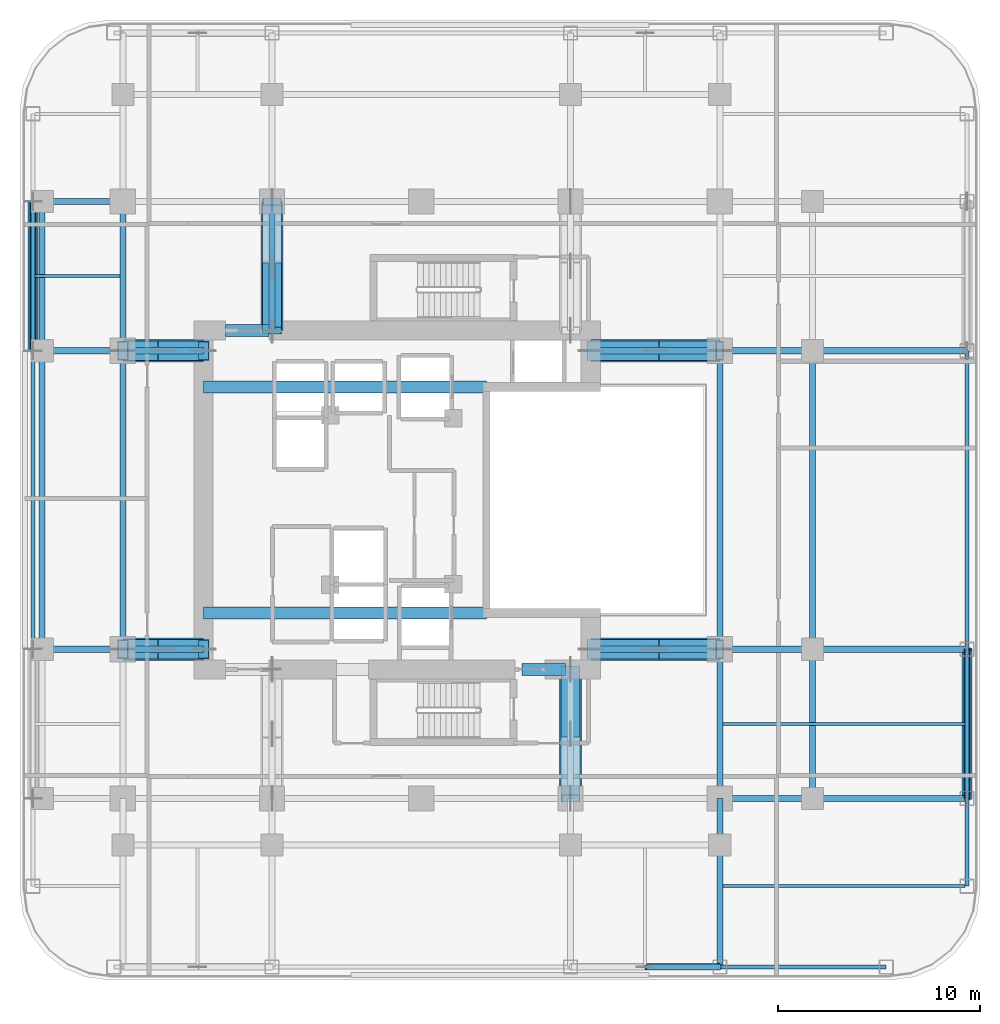
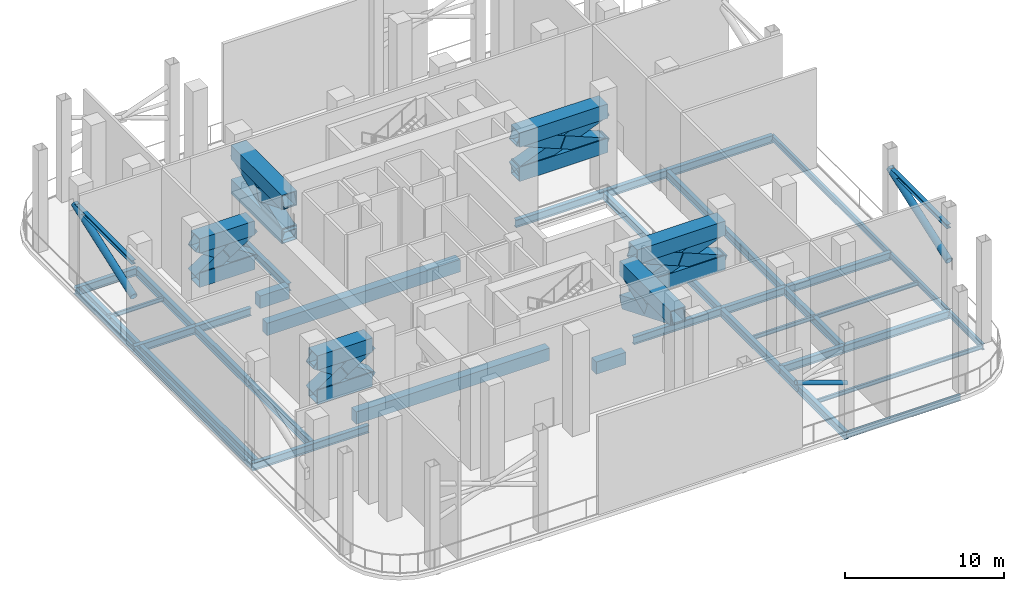
# One storey, part 2 of 10: 37 beams, 32 members.
"""IFC4 building model written with IfcOpenShell, lengths in metres."""

from ifc_helpers import new_model, si_unit, direction, frame, origin, origin_2d, place, context, subcontext, project, spatial, rectangle, hollow_rectangle, hollow_circle, i_section, extrude, material, material_profile, profile_set, type_object, element, save


model = new_model("IFC4")

# Units and contexts
model_context = context("Model", 3, precision=1e-05, world=origin(), true_north=direction((0.0, 1.0)))
body_context = subcontext(model_context, "Body", "Model", "MODEL_VIEW")
ifc_project = project(units=[si_unit("LENGTHUNIT", "METRE"), si_unit("AREAUNIT", "SQUARE_METRE"), si_unit("VOLUMEUNIT", "CUBIC_METRE"), si_unit("PLANEANGLEUNIT", "RADIAN"), si_unit("MASSUNIT", "GRAM", prefix="KILO")], contexts=[model_context])

# Site, building, storey
site_placement = place(None, origin())
site = spatial("IfcSite", under=ifc_project, at=site_placement, CompositionType="ELEMENT")
building_placement = place(site_placement, origin())
building = spatial("IfcBuilding", under=site, at=building_placement, Name="Khorvyn Point Tower", CompositionType="ELEMENT")
storey_placement = place(building_placement, frame((0.0, 0.0, 156.300048828125)))
storey = spatial("IfcBuildingStorey", under=building, at=storey_placement, Name="L39", CompositionType="ELEMENT", Elevation=156.300048828125)

# Beams
ifc_material_1 = material(Name="Concrete C50/60", Category="concrete")
ifc_material_profile_1 = material_profile(ifc_material_1, rectangle(XDim=0.60009765625, YDim=0.949951171875, at=origin_2d()))
ifc_profile_set_1 = profile_set([ifc_material_profile_1], Name="Concrete C50/60 RC600x950")
beam_type_1 = type_object("IfcBeamType", Name="Concrete C50/60 Beam RC600x950", PredefinedType="BEAM", material=ifc_profile_set_1)
for number, where, z_axis, x_axis, name in (
    (1, (-10.800048828125, -5.60009765625, -0.775146484375), (1.0, 0.0, 0.0), (0.0, 1.0, 0.0), "L39 Core Internal Tie Girder S"),
    (2, (-10.800048828125, 5.60009765625, -0.775146484375), (1.0, 0.0, 0.0), (0.0, 1.0, 0.0), "L39 Core Internal Tie Girder N"),
):
    element("IfcBeam", number, at=place(storey_placement, frame(where, z_axis=z_axis, x_axis=x_axis)), inside=storey, type_object=beam_type_1, Name=name, PredefinedType="BEAM", context=body_context, shape_type="SweptSolid", body=[
        extrude(rectangle(XDim=0.60009765625, YDim=0.949951171875, at=origin_2d()), origin(), (0.0, 0.0, 1.0), 14.02001953125),
    ])
for number, where, z_axis, x_axis, name in (
    (3, (5.0, -8.39990234375, -0.775146484375), (1.0, 0.0, 0.0), (0.0, 1.0, 0.0), "L39 Core Southeast Portal Coupling Beam"),
    (4, (-9.699951171875, 8.39990234375, -0.775146484375), (1.0, 0.0, 0.0), (0.0, 1.0, 0.0), "L39 Core Northwest Portal Coupling Beam"),
):
    element("IfcBeam", number, at=place(storey_placement, frame(where, z_axis=z_axis, x_axis=x_axis)), inside=storey, type_object=beam_type_1, Name=name, PredefinedType="BEAM", context=body_context, shape_type="SweptSolid", body=[
        extrude(rectangle(XDim=0.60009765625, YDim=0.949951171875, at=origin_2d()), origin(), (0.0, 0.0, 1.0), 2.14990234375),
    ])
ifc_material_2 = material(Name="Steel S355", Category="steel")
ifc_material_profile_2 = material_profile(ifc_material_2, i_section(OverallWidth=0.300048828125, OverallDepth=0.587890625, WebThickness=0.011962890625, FlangeThickness=0.02001953125, at=origin_2d()))
ifc_profile_set_2 = profile_set([ifc_material_profile_2], Name="Steel S355 H588x300x12x20")
beam_type_2 = type_object("IfcBeamType", Name="Steel S355 Beam H588x300x12x20", PredefinedType="BEAM", material=ifc_profile_set_2)
beam_1_placement = place(storey_placement, frame((14.800048828125, -14.800048828125, -0.593994140625), z_axis=(1.0, 0.0, 0.0), x_axis=(0.0, 1.0, 0.0)))
element("IfcBeam", 5, at=beam_1_placement, inside=storey, type_object=beam_type_2, Name="Beam", PredefinedType="BEAM", context=body_context, shape_type="SweptSolid", body=[
    extrude(i_section(OverallWidth=0.300048828125, OverallDepth=0.587890625, WebThickness=0.011962890625, FlangeThickness=0.02001953125, at=origin_2d()), origin(), (0.0, 0.0, 1.0), 4.599853515625),
])
beam_2_placement = place(storey_placement, frame((19.39990234375, -14.800048828125, -0.593994140625), z_axis=(1.0, 0.0, 0.0), x_axis=(0.0, 1.0, 0.0)))
element("IfcBeam", 6, at=beam_2_placement, inside=storey, type_object=beam_type_2, Name="Beam", PredefinedType="BEAM", context=body_context, shape_type="SweptSolid", body=[
    extrude(i_section(OverallWidth=0.300048828125, OverallDepth=0.587890625, WebThickness=0.011962890625, FlangeThickness=0.02001953125, at=origin_2d()), origin(), (0.0, 0.0, 1.0), 7.650146484375),
])
for number, where, z_axis, x_axis, name in (
    (7, (-19.25, 14.800048828125, -0.593994140625), (1.0, 0.0, 0.0), (0.0, 1.0, 0.0), "Beam"),
    (8, (-19.25, -7.39990234375, -0.593994140625), (1.0, 0.0, 0.0), (0.0, 1.0, 0.0), "Beam"),
):
    element("IfcBeam", number, at=place(storey_placement, frame(where, z_axis=z_axis, x_axis=x_axis)), inside=storey, type_object=beam_type_2, Name=name, PredefinedType="BEAM", context=body_context, shape_type="SweptSolid", body=[
        extrude(i_section(OverallWidth=0.300048828125, OverallDepth=0.587890625, WebThickness=0.011962890625, FlangeThickness=0.02001953125, at=origin_2d()), origin(), (0.0, 0.0, 1.0), 4.449951171875),
    ])
beam_3_placement = place(storey_placement, frame((-14.800048828125, -7.39990234375, -0.593994140625), z_axis=(1.0, 0.0, 0.0), x_axis=(0.0, 1.0, 0.0)))
element("IfcBeam", 9, at=beam_3_placement, inside=storey, type_object=beam_type_2, Name="Beam", PredefinedType="BEAM", context=body_context, shape_type="SweptSolid", body=[
    extrude(i_section(OverallWidth=0.300048828125, OverallDepth=0.587890625, WebThickness=0.011962890625, FlangeThickness=0.02001953125, at=origin_2d()), origin(), (0.0, 0.0, 1.0), 4.0),
])
beam_4_placement = place(storey_placement, frame((8.39990234375, -7.39990234375, -0.593994140625), z_axis=(1.0, 0.0, 0.0), x_axis=(0.0, 1.0, 0.0)))
element("IfcBeam", 10, at=beam_4_placement, inside=storey, type_object=beam_type_2, Name="Beam", PredefinedType="BEAM", context=body_context, shape_type="SweptSolid", body=[
    extrude(i_section(OverallWidth=0.300048828125, OverallDepth=0.587890625, WebThickness=0.011962890625, FlangeThickness=0.02001953125, at=origin_2d()), origin(), (0.0, 0.0, 1.0), 6.400146484375),
])
beam_5_placement = place(storey_placement, frame((14.800048828125, -7.39990234375, -0.593994140625), z_axis=(1.0, 0.0, 0.0), x_axis=(0.0, 1.0, 0.0)))
element("IfcBeam", 11, at=beam_5_placement, inside=storey, type_object=beam_type_2, Name="Beam", PredefinedType="BEAM", context=body_context, shape_type="SweptSolid", body=[
    extrude(i_section(OverallWidth=0.300048828125, OverallDepth=0.587890625, WebThickness=0.011962890625, FlangeThickness=0.02001953125, at=origin_2d()), origin(), (0.0, 0.0, 1.0), 4.599853515625),
])
beam_6_placement = place(storey_placement, frame((19.39990234375, -7.39990234375, -0.593994140625), z_axis=(1.0, 0.0, 0.0), x_axis=(0.0, 1.0, 0.0)))
element("IfcBeam", 12, at=beam_6_placement, inside=storey, type_object=beam_type_2, Name="Beam", PredefinedType="BEAM", context=body_context, shape_type="SweptSolid", body=[
    extrude(i_section(OverallWidth=0.300048828125, OverallDepth=0.587890625, WebThickness=0.011962890625, FlangeThickness=0.02001953125, at=origin_2d()), origin(), (0.0, 0.0, 1.0), 7.650146484375),
])
beam_7_placement = place(storey_placement, frame((-19.25, 7.39990234375, -0.593994140625), z_axis=(1.0, 0.0, 0.0), x_axis=(0.0, 1.0, 0.0)))
element("IfcBeam", 13, at=beam_7_placement, inside=storey, type_object=beam_type_2, Name="Beam", PredefinedType="BEAM", context=body_context, shape_type="SweptSolid", body=[
    extrude(i_section(OverallWidth=0.300048828125, OverallDepth=0.587890625, WebThickness=0.011962890625, FlangeThickness=0.02001953125, at=origin_2d()), origin(), (0.0, 0.0, 1.0), 4.449951171875),
])
beam_8_placement = place(storey_placement, frame((-14.800048828125, 7.39990234375, -0.593994140625), z_axis=(1.0, 0.0, 0.0), x_axis=(0.0, 1.0, 0.0)))
element("IfcBeam", 14, at=beam_8_placement, inside=storey, type_object=beam_type_2, Name="Beam", PredefinedType="BEAM", context=body_context, shape_type="SweptSolid", body=[
    extrude(i_section(OverallWidth=0.300048828125, OverallDepth=0.587890625, WebThickness=0.011962890625, FlangeThickness=0.02001953125, at=origin_2d()), origin(), (0.0, 0.0, 1.0), 4.0),
])
beam_9_placement = place(storey_placement, frame((8.39990234375, 7.39990234375, -0.593994140625), z_axis=(1.0, 0.0, 0.0), x_axis=(0.0, 1.0, 0.0)))
element("IfcBeam", 15, at=beam_9_placement, inside=storey, type_object=beam_type_2, Name="Beam", PredefinedType="BEAM", context=body_context, shape_type="SweptSolid", body=[
    extrude(i_section(OverallWidth=0.300048828125, OverallDepth=0.587890625, WebThickness=0.011962890625, FlangeThickness=0.02001953125, at=origin_2d()), origin(), (0.0, 0.0, 1.0), 6.400146484375),
])
beam_10_placement = place(storey_placement, frame((14.800048828125, 7.39990234375, -0.593994140625), z_axis=(1.0, 0.0, 0.0), x_axis=(0.0, 1.0, 0.0)))
element("IfcBeam", 16, at=beam_10_placement, inside=storey, type_object=beam_type_2, Name="Beam", PredefinedType="BEAM", context=body_context, shape_type="SweptSolid", body=[
    extrude(i_section(OverallWidth=0.300048828125, OverallDepth=0.587890625, WebThickness=0.011962890625, FlangeThickness=0.02001953125, at=origin_2d()), origin(), (0.0, 0.0, 1.0), 4.599853515625),
])
beam_11_placement = place(storey_placement, frame((19.39990234375, 7.39990234375, -0.593994140625), z_axis=(1.0, 0.0, 0.0), x_axis=(0.0, 1.0, 0.0)))
element("IfcBeam", 17, at=beam_11_placement, inside=storey, type_object=beam_type_2, Name="Beam", PredefinedType="BEAM", context=body_context, shape_type="SweptSolid", body=[
    extrude(i_section(OverallWidth=0.300048828125, OverallDepth=0.587890625, WebThickness=0.011962890625, FlangeThickness=0.02001953125, at=origin_2d()), origin(), (0.0, 0.0, 1.0), 7.650146484375),
])
beam_12_placement = place(storey_placement, frame((-14.800048828125, -7.39990234375, -0.593994140625), z_axis=(0.0, 1.0, 0.0), x_axis=(-1.0, 0.0, 0.0)))
element("IfcBeam", 18, at=beam_12_placement, inside=storey, type_object=beam_type_2, Name="Beam", PredefinedType="BEAM", context=body_context, shape_type="SweptSolid", body=[
    extrude(i_section(OverallWidth=0.300048828125, OverallDepth=0.587890625, WebThickness=0.011962890625, FlangeThickness=0.02001953125, at=origin_2d()), origin(), (0.0, 0.0, 1.0), 14.7998046875),
])
beam_13_placement = place(storey_placement, frame((-14.800048828125, 7.39990234375, -0.593994140625), z_axis=(0.0, 1.0, 0.0), x_axis=(-1.0, 0.0, 0.0)))
element("IfcBeam", 19, at=beam_13_placement, inside=storey, type_object=beam_type_2, Name="Beam", PredefinedType="BEAM", context=body_context, shape_type="SweptSolid", body=[
    extrude(i_section(OverallWidth=0.300048828125, OverallDepth=0.587890625, WebThickness=0.011962890625, FlangeThickness=0.02001953125, at=origin_2d()), origin(), (0.0, 0.0, 1.0), 7.400146484375),
])
beam_14_placement = place(storey_placement, frame((14.800048828125, -23.14990234375, -0.593994140625), z_axis=(0.0, 1.0, 0.0), x_axis=(-1.0, 0.0, 0.0)))
element("IfcBeam", 20, at=beam_14_placement, inside=storey, type_object=beam_type_2, Name="Beam", PredefinedType="BEAM", context=body_context, shape_type="SweptSolid", body=[
    extrude(i_section(OverallWidth=0.300048828125, OverallDepth=0.587890625, WebThickness=0.011962890625, FlangeThickness=0.02001953125, at=origin_2d()), origin(), (0.0, 0.0, 1.0), 6.0498046875),
])
beam_15_placement = place(storey_placement, frame((14.800048828125, -17.10009765625, -0.593994140625), z_axis=(0.0, 1.0, 0.0), x_axis=(-1.0, 0.0, 0.0)))
element("IfcBeam", 21, at=beam_15_placement, inside=storey, type_object=beam_type_2, Name="Beam", PredefinedType="BEAM", context=body_context, shape_type="SweptSolid", body=[
    extrude(i_section(OverallWidth=0.300048828125, OverallDepth=0.587890625, WebThickness=0.011962890625, FlangeThickness=0.02001953125, at=origin_2d()), origin(), (0.0, 0.0, 1.0), 2.300048828125),
])
beam_16_placement = place(storey_placement, frame((14.800048828125, -14.800048828125, -0.593994140625), z_axis=(0.0, 1.0, 0.0), x_axis=(-1.0, 0.0, 0.0)))
element("IfcBeam", 22, at=beam_16_placement, inside=storey, type_object=beam_type_2, Name="Beam", PredefinedType="BEAM", context=body_context, shape_type="SweptSolid", body=[
    extrude(i_section(OverallWidth=0.300048828125, OverallDepth=0.587890625, WebThickness=0.011962890625, FlangeThickness=0.02001953125, at=origin_2d()), origin(), (0.0, 0.0, 1.0), 7.400146484375),
])
beam_17_placement = place(storey_placement, frame((14.800048828125, -7.39990234375, -0.593994140625), z_axis=(0.0, 1.0, 0.0), x_axis=(-1.0, 0.0, 0.0)))
element("IfcBeam", 23, at=beam_17_placement, inside=storey, type_object=beam_type_2, Name="Beam", PredefinedType="BEAM", context=body_context, shape_type="SweptSolid", body=[
    extrude(i_section(OverallWidth=0.300048828125, OverallDepth=0.587890625, WebThickness=0.011962890625, FlangeThickness=0.02001953125, at=origin_2d()), origin(), (0.0, 0.0, 1.0), 14.7998046875),
])
beam_18_placement = place(storey_placement, frame((-7.39990234375, 8.39990234375, -0.593994140625), z_axis=(0.0, 1.0, 0.0), x_axis=(-1.0, 0.0, 0.0)))
element("IfcBeam", 24, at=beam_18_placement, inside=storey, type_object=beam_type_2, Name="Beam", PredefinedType="BEAM", context=body_context, shape_type="SweptSolid", body=[
    extrude(i_section(OverallWidth=0.300048828125, OverallDepth=0.587890625, WebThickness=0.011962890625, FlangeThickness=0.02001953125, at=origin_2d()), origin(), (0.0, 0.0, 1.0), 6.400146484375),
])
beam_19_placement = place(storey_placement, frame((-18.800048828125, -7.39990234375, -0.593994140625), z_axis=(0.0, 1.0, 0.0), x_axis=(-1.0, 0.0, 0.0)))
element("IfcBeam", 25, at=beam_19_placement, inside=storey, type_object=beam_type_2, Name="Beam", PredefinedType="BEAM", context=body_context, shape_type="SweptSolid", body=[
    extrude(i_section(OverallWidth=0.300048828125, OverallDepth=0.587890625, WebThickness=0.011962890625, FlangeThickness=0.02001953125, at=origin_2d()), origin(), (0.0, 0.0, 1.0), 14.7998046875),
])
for number, where, z_axis, x_axis, name in (
    (26, (-18.800048828125, 7.39990234375, -0.593994140625), (0.0, 1.0, 0.0), (-1.0, 0.0, 0.0), "Beam"),
    (27, (19.39990234375, -14.800048828125, -0.593994140625), (0.0, 1.0, 0.0), (-1.0, 0.0, 0.0), "Beam"),
):
    element("IfcBeam", number, at=place(storey_placement, frame(where, z_axis=z_axis, x_axis=x_axis)), inside=storey, type_object=beam_type_2, Name=name, PredefinedType="BEAM", context=body_context, shape_type="SweptSolid", body=[
        extrude(i_section(OverallWidth=0.300048828125, OverallDepth=0.587890625, WebThickness=0.011962890625, FlangeThickness=0.02001953125, at=origin_2d()), origin(), (0.0, 0.0, 1.0), 7.400146484375),
    ])
beam_20_placement = place(storey_placement, frame((19.39990234375, -7.39990234375, -0.593994140625), z_axis=(0.0, 1.0, 0.0), x_axis=(-1.0, 0.0, 0.0)))
element("IfcBeam", 28, at=beam_20_placement, inside=storey, type_object=beam_type_2, Name="Beam", PredefinedType="BEAM", context=body_context, shape_type="SweptSolid", body=[
    extrude(i_section(OverallWidth=0.300048828125, OverallDepth=0.587890625, WebThickness=0.011962890625, FlangeThickness=0.02001953125, at=origin_2d()), origin(), (0.0, 0.0, 1.0), 14.7998046875),
])
ifc_material_profile_3 = material_profile(ifc_material_2, i_section(OverallWidth=0.14990234375, OverallDepth=0.300048828125, WebThickness=0.006591796875, FlangeThickness=0.009033203125, at=origin_2d()))
ifc_profile_set_3 = profile_set([ifc_material_profile_3], Name="Steel S355 H300x150x6.5x9")
beam_type_3 = type_object("IfcBeamType", Name="Steel S355 Joist H300x150x6.5x9", PredefinedType="JOIST", material=ifc_profile_set_3)
beam_21_placement = place(storey_placement, frame((14.949951171875, -11.10009765625, -0.449951171875), z_axis=(1.0, 0.0, 0.0), x_axis=(0.0, 1.0, 0.0)))
element("IfcBeam", 29, at=beam_21_placement, inside=storey, type_object=beam_type_3, Name="Beam", PredefinedType="JOIST", context=body_context, shape_type="SweptSolid", body=[
    extrude(i_section(OverallWidth=0.14990234375, OverallDepth=0.300048828125, WebThickness=0.006591796875, FlangeThickness=0.009033203125, at=origin_2d()), origin(), (0.0, 0.0, 1.0), 12.0),
])
beam_22_placement = place(storey_placement, frame((-19.14990234375, 11.10009765625, -0.449951171875), z_axis=(1.0, 0.0, 0.0), x_axis=(0.0, 1.0, 0.0)))
element("IfcBeam", 30, at=beam_22_placement, inside=storey, type_object=beam_type_3, Name="Beam", PredefinedType="JOIST", context=body_context, shape_type="SweptSolid", body=[
    extrude(i_section(OverallWidth=0.14990234375, OverallDepth=0.300048828125, WebThickness=0.006591796875, FlangeThickness=0.009033203125, at=origin_2d()), origin(), (0.0, 0.0, 1.0), 4.199951171875),
])
beam_23_placement = place(storey_placement, frame((14.949951171875, -19.14990234375, -0.449951171875), z_axis=(1.0, 0.0, 0.0), x_axis=(0.0, 1.0, 0.0)))
element("IfcBeam", 31, at=beam_23_placement, inside=storey, type_object=beam_type_3, Name="Beam", PredefinedType="JOIST", context=body_context, shape_type="SweptSolid", body=[
    extrude(i_section(OverallWidth=0.14990234375, OverallDepth=0.300048828125, WebThickness=0.006591796875, FlangeThickness=0.009033203125, at=origin_2d()), origin(), (0.0, 0.0, 1.0), 12.0),
])
ifc_material_profile_4 = material_profile(ifc_material_2, i_section(OverallWidth=0.199951171875, OverallDepth=0.449951171875, WebThickness=0.009033203125, FlangeThickness=0.013916015625, at=origin_2d()))
ifc_profile_set_4 = profile_set([ifc_material_profile_4], Name="Steel S355 H450x200x9x14")
beam_type_4 = type_object("IfcBeamType", Name="Steel S355 Spandrel H450x200x9x14", PredefinedType="SPANDREL", material=ifc_profile_set_4)
beam_24_placement = place(storey_placement, frame((14.800048828125, -23.14990234375, -0.525146484375), z_axis=(1.0, 0.0, 0.0), x_axis=(0.0, 1.0, 0.0)))
element("IfcBeam", 32, at=beam_24_placement, inside=storey, type_object=beam_type_4, Name="Beam", PredefinedType="SPANDREL", context=body_context, shape_type="SweptSolid", body=[
    extrude(i_section(OverallWidth=0.199951171875, OverallDepth=0.449951171875, WebThickness=0.009033203125, FlangeThickness=0.013916015625, at=origin_2d()), origin(), (0.0, 0.0, 1.0), 8.25),
])
beam_25_placement = place(storey_placement, frame((-19.25, -7.39990234375, -0.525146484375), z_axis=(0.0, 1.0, 0.0), x_axis=(-1.0, 0.0, 0.0)))
element("IfcBeam", 33, at=beam_25_placement, inside=storey, type_object=beam_type_4, Name="Beam", PredefinedType="SPANDREL", context=body_context, shape_type="SweptSolid", body=[
    extrude(i_section(OverallWidth=0.199951171875, OverallDepth=0.449951171875, WebThickness=0.009033203125, FlangeThickness=0.013916015625, at=origin_2d()), origin(), (0.0, 0.0, 1.0), 14.7998046875),
])
beam_26_placement = place(storey_placement, frame((-19.25, 7.39990234375, -0.525146484375), z_axis=(0.0, 1.0, 0.0), x_axis=(-1.0, 0.0, 0.0)))
element("IfcBeam", 34, at=beam_26_placement, inside=storey, type_object=beam_type_4, Name="Beam", PredefinedType="SPANDREL", context=body_context, shape_type="SweptSolid", body=[
    extrude(i_section(OverallWidth=0.199951171875, OverallDepth=0.449951171875, WebThickness=0.009033203125, FlangeThickness=0.013916015625, at=origin_2d()), origin(), (0.0, 0.0, 1.0), 7.400146484375),
])
beam_27_placement = place(storey_placement, frame((27.050048828125, -19.14990234375, -0.525146484375), z_axis=(0.0, 1.0, 0.0), x_axis=(-1.0, 0.0, 0.0)))
element("IfcBeam", 35, at=beam_27_placement, inside=storey, type_object=beam_type_4, Name="Beam", PredefinedType="SPANDREL", context=body_context, shape_type="SweptSolid", body=[
    extrude(i_section(OverallWidth=0.199951171875, OverallDepth=0.449951171875, WebThickness=0.009033203125, FlangeThickness=0.013916015625, at=origin_2d()), origin(), (0.0, 0.0, 1.0), 4.349853515625),
])
beam_28_placement = place(storey_placement, frame((27.050048828125, -14.800048828125, -0.525146484375), z_axis=(0.0, 1.0, 0.0), x_axis=(-1.0, 0.0, 0.0)))
element("IfcBeam", 36, at=beam_28_placement, inside=storey, type_object=beam_type_4, Name="Beam", PredefinedType="SPANDREL", context=body_context, shape_type="SweptSolid", body=[
    extrude(i_section(OverallWidth=0.199951171875, OverallDepth=0.449951171875, WebThickness=0.009033203125, FlangeThickness=0.013916015625, at=origin_2d()), origin(), (0.0, 0.0, 1.0), 7.400146484375),
])
beam_29_placement = place(storey_placement, frame((27.050048828125, -7.39990234375, -0.525146484375), z_axis=(0.0, 1.0, 0.0), x_axis=(-1.0, 0.0, 0.0)))
element("IfcBeam", 37, at=beam_29_placement, inside=storey, type_object=beam_type_4, Name="Beam", PredefinedType="SPANDREL", context=body_context, shape_type="SweptSolid", body=[
    extrude(i_section(OverallWidth=0.199951171875, OverallDepth=0.449951171875, WebThickness=0.009033203125, FlangeThickness=0.013916015625, at=origin_2d()), origin(), (0.0, 0.0, 1.0), 14.7998046875),
])

# Members
ifc_material_profile_5 = material_profile(ifc_material_2, hollow_circle(Radius=0.161865234375, WallThickness=0.012451171875, at=origin_2d()))
ifc_profile_set_5 = profile_set([ifc_material_profile_5], Name="Steel S355 CHS323.9x12.5")
member_type_1 = type_object("IfcMemberType", Name="Steel S355 Truss Brace CHS323.9x12.5", PredefinedType="BRACE", material=ifc_profile_set_5)
member_1_placement = place(storey_placement, frame((11.1201171875, -23.14990234375, 4.7548828125), z_axis=(0.942496380146, 0.0, -0.334216357187), x_axis=(0.0, 1.0, 0.0)))
element("IfcMember", 38, at=member_1_placement, inside=storey, type_object=member_type_1, Name="BT-BR2B-L39-S2", PredefinedType="BRACE", context=body_context, shape_type="SweptSolid", body=[
    extrude(hollow_circle(Radius=0.161865234375, WallThickness=0.012451171875, at=origin_2d()), origin(), (0.0, 0.0, 1.0), 3.904541015625),
])
ifc_material_profile_6 = material_profile(ifc_material_2, i_section(OverallWidth=0.300048828125, OverallDepth=0.300048828125, WebThickness=0.010009765625, FlangeThickness=0.014892578125, at=origin_2d()))
ifc_profile_set_6 = profile_set([ifc_material_profile_6], Name="Steel S355 H300x300x10x15")
member_type_2 = type_object("IfcMemberType", Name="Steel S355 Truss Chord H300x300x10x15", PredefinedType="CHORD", material=ifc_profile_set_6)
for number, where, z_axis, x_axis, name in (
    (39, (27.050048828125, -14.800048828125, 6.079833984375), (0.0, 1.0, 0.0), (-1.0, 0.0, 0.0), "EXO-CH1-L39-E1"),
    (40, (-19.25, 7.39990234375, 6.079833984375), (0.0, 1.0, 0.0), (-1.0, 0.0, 0.0), "EXO-CH1-L39-W2"),
):
    element("IfcMember", number, at=place(storey_placement, frame(where, z_axis=z_axis, x_axis=x_axis)), inside=storey, type_object=member_type_2, Name=name, PredefinedType="CHORD", context=body_context, shape_type="SweptSolid", body=[
        extrude(i_section(OverallWidth=0.300048828125, OverallDepth=0.300048828125, WebThickness=0.010009765625, FlangeThickness=0.014892578125, at=origin_2d()), origin(), (0.0, 0.0, 1.0), 7.400146484375),
    ])
ifc_material_3 = material(Name="Steel S450", Category="steel")
ifc_material_profile_7 = material_profile(ifc_material_3, hollow_rectangle(XDim=0.949951171875, YDim=0.949951171875, WallThickness=0.0400390625, at=origin_2d()))
ifc_profile_set_7 = profile_set([ifc_material_profile_7], Name="Steel S450 BOX950x950x40")
member_type_3 = type_object("IfcMemberType", Name="Steel S450 Truss Brace BOX950x950x40", PredefinedType="BRACE", material=ifc_profile_set_7)
member_2_placement = place(storey_placement, frame((-10.800048828125, -7.39990234375, 3.449951171875), z_axis=(-0.835579732104, 0.0, 0.549369193983), x_axis=(0.0, -1.0, 0.0)))
element("IfcMember", 41, at=member_2_placement, inside=storey, type_object=member_type_3, Name="OT-BR1-L39-WS", PredefinedType="BRACE", context=body_context, shape_type="SweptSolid", body=[
    extrude(hollow_rectangle(XDim=0.949951171875, YDim=0.949951171875, WallThickness=0.0400390625, at=origin_2d()), origin(), (0.0, 0.0, 1.0), 4.787109375),
])
member_3_placement = place(storey_placement, frame((-10.800048828125, -7.39990234375, 6.079833984375), z_axis=(-0.835545615309, 0.0, -0.549421081447), x_axis=(0.0, -1.0, 0.0)))
element("IfcMember", 42, at=member_3_placement, inside=storey, type_object=member_type_3, Name="OT-BR2A-L39-WS", PredefinedType="BRACE", context=body_context, shape_type="SweptSolid", body=[
    extrude(hollow_rectangle(XDim=0.949951171875, YDim=0.949951171875, WallThickness=0.0400390625, at=origin_2d()), origin(), (0.0, 0.0, 1.0), 2.363525390625),
])
member_4_placement = place(storey_placement, frame((-12.824951171875, -7.39990234375, 4.74853515625), z_axis=(-0.83557679198, 0.0, -0.549373665827), x_axis=(0.0, -1.0, 0.0)))
element("IfcMember", 43, at=member_4_placement, inside=storey, type_object=member_type_3, Name="OT-BR2B-L39-WS", PredefinedType="BRACE", context=body_context, shape_type="SweptSolid", body=[
    extrude(hollow_rectangle(XDim=0.949951171875, YDim=0.949951171875, WallThickness=0.0400390625, at=origin_2d()), origin(), (0.0, 0.0, 1.0), 2.36376953125),
])
member_5_placement = place(storey_placement, frame((-10.800048828125, 7.39990234375, 3.449951171875), z_axis=(-0.835579732104, 0.0, 0.549369193983), x_axis=(0.0, -1.0, 0.0)))
element("IfcMember", 44, at=member_5_placement, inside=storey, type_object=member_type_3, Name="OT-BR1-L39-WN", PredefinedType="BRACE", context=body_context, shape_type="SweptSolid", body=[
    extrude(hollow_rectangle(XDim=0.949951171875, YDim=0.949951171875, WallThickness=0.0400390625, at=origin_2d()), origin(), (0.0, 0.0, 1.0), 4.787109375),
])
member_6_placement = place(storey_placement, frame((-10.800048828125, 7.39990234375, 6.079833984375), z_axis=(-0.835545615309, 0.0, -0.549421081447), x_axis=(0.0, -1.0, 0.0)))
element("IfcMember", 45, at=member_6_placement, inside=storey, type_object=member_type_3, Name="OT-BR2A-L39-WN", PredefinedType="BRACE", context=body_context, shape_type="SweptSolid", body=[
    extrude(hollow_rectangle(XDim=0.949951171875, YDim=0.949951171875, WallThickness=0.0400390625, at=origin_2d()), origin(), (0.0, 0.0, 1.0), 2.363525390625),
])
member_7_placement = place(storey_placement, frame((-12.824951171875, 7.39990234375, 4.74853515625), z_axis=(-0.83557679198, 0.0, -0.549373665827), x_axis=(0.0, -1.0, 0.0)))
element("IfcMember", 46, at=member_7_placement, inside=storey, type_object=member_type_3, Name="OT-BR2B-L39-WN", PredefinedType="BRACE", context=body_context, shape_type="SweptSolid", body=[
    extrude(hollow_rectangle(XDim=0.949951171875, YDim=0.949951171875, WallThickness=0.0400390625, at=origin_2d()), origin(), (0.0, 0.0, 1.0), 2.36376953125),
])
member_8_placement = place(storey_placement, frame((8.39990234375, -7.39990234375, 3.449951171875), z_axis=(0.924956256677, 0.0, 0.38007357608), x_axis=(0.0, 1.0, 0.0)))
element("IfcMember", 47, at=member_8_placement, inside=storey, type_object=member_type_3, Name="OT-BR1-L39-ES", PredefinedType="BRACE", context=body_context, shape_type="SweptSolid", body=[
    extrude(hollow_rectangle(XDim=0.949951171875, YDim=0.949951171875, WallThickness=0.0400390625, at=origin_2d()), origin(), (0.0, 0.0, 1.0), 6.91943359375),
])
for number, where, z_axis, x_axis, name in (
    (48, (8.39990234375, -7.39990234375, 6.079833984375), (0.924953299929, 0.0, -0.380080771613), (0.0, 1.0, 0.0), "OT-BR2A-L39-ES"),
    (49, (11.625, -7.39990234375, 4.754638671875), (0.924953299929, 0.0, -0.380080771613), (0.0, 1.0, 0.0), "OT-BR2B-L39-ES"),
):
    element("IfcMember", number, at=place(storey_placement, frame(where, z_axis=z_axis, x_axis=x_axis)), inside=storey, type_object=member_type_3, Name=name, PredefinedType="BRACE", context=body_context, shape_type="SweptSolid", body=[
        extrude(hollow_rectangle(XDim=0.949951171875, YDim=0.949951171875, WallThickness=0.0400390625, at=origin_2d()), origin(), (0.0, 0.0, 1.0), 3.4326171875),
    ])
member_9_placement = place(storey_placement, frame((8.39990234375, 7.39990234375, 3.449951171875), z_axis=(0.924956256677, 0.0, 0.38007357608), x_axis=(0.0, 1.0, 0.0)))
element("IfcMember", 50, at=member_9_placement, inside=storey, type_object=member_type_3, Name="OT-BR1-L39-EN", PredefinedType="BRACE", context=body_context, shape_type="SweptSolid", body=[
    extrude(hollow_rectangle(XDim=0.949951171875, YDim=0.949951171875, WallThickness=0.0400390625, at=origin_2d()), origin(), (0.0, 0.0, 1.0), 6.91943359375),
])
for number, where, z_axis, x_axis, name in (
    (51, (8.39990234375, 7.39990234375, 6.079833984375), (0.924953299929, 0.0, -0.380080771613), (0.0, 1.0, 0.0), "OT-BR2A-L39-EN"),
    (52, (11.625, 7.39990234375, 4.754638671875), (0.924953299929, 0.0, -0.380080771613), (0.0, 1.0, 0.0), "OT-BR2B-L39-EN"),
):
    element("IfcMember", number, at=place(storey_placement, frame(where, z_axis=z_axis, x_axis=x_axis)), inside=storey, type_object=member_type_3, Name=name, PredefinedType="BRACE", context=body_context, shape_type="SweptSolid", body=[
        extrude(hollow_rectangle(XDim=0.949951171875, YDim=0.949951171875, WallThickness=0.0400390625, at=origin_2d()), origin(), (0.0, 0.0, 1.0), 3.4326171875),
    ])
member_10_placement = place(storey_placement, frame((7.39990234375, -8.39990234375, 3.449951171875), z_axis=(0.0, -0.924956256677, 0.38007357608), x_axis=(1.0, 0.0, 0.0)))
element("IfcMember", 53, at=member_10_placement, inside=storey, type_object=member_type_3, Name="OT-BR1-L39-SE", PredefinedType="BRACE", context=body_context, shape_type="SweptSolid", body=[
    extrude(hollow_rectangle(XDim=0.949951171875, YDim=0.949951171875, WallThickness=0.0400390625, at=origin_2d()), origin(), (0.0, 0.0, 1.0), 6.91943359375),
])
member_11_placement = place(storey_placement, frame((7.39990234375, -8.39990234375, 6.079833984375), z_axis=(0.0, -0.924953299929, -0.380080771613), x_axis=(1.0, 0.0, 0.0)))
element("IfcMember", 54, at=member_11_placement, inside=storey, type_object=member_type_3, Name="OT-BR2A-L39-SE", PredefinedType="BRACE", context=body_context, shape_type="SweptSolid", body=[
    extrude(hollow_rectangle(XDim=0.949951171875, YDim=0.949951171875, WallThickness=0.0400390625, at=origin_2d()), origin(), (0.0, 0.0, 1.0), 3.4326171875),
])
member_12_placement = place(storey_placement, frame((-7.39990234375, 8.39990234375, 3.449951171875), z_axis=(0.0, 0.924956256677, 0.38007357608), x_axis=(-1.0, 0.0, 0.0)))
element("IfcMember", 55, at=member_12_placement, inside=storey, type_object=member_type_3, Name="OT-BR1-L39-NW", PredefinedType="BRACE", context=body_context, shape_type="SweptSolid", body=[
    extrude(hollow_rectangle(XDim=0.949951171875, YDim=0.949951171875, WallThickness=0.0400390625, at=origin_2d()), origin(), (0.0, 0.0, 1.0), 6.91943359375),
])
member_13_placement = place(storey_placement, frame((-7.39990234375, 8.39990234375, 6.079833984375), z_axis=(0.0, 0.924953299929, -0.380080771613), x_axis=(-1.0, 0.0, 0.0)))
element("IfcMember", 56, at=member_13_placement, inside=storey, type_object=member_type_3, Name="OT-BR2A-L39-NW", PredefinedType="BRACE", context=body_context, shape_type="SweptSolid", body=[
    extrude(hollow_rectangle(XDim=0.949951171875, YDim=0.949951171875, WallThickness=0.0400390625, at=origin_2d()), origin(), (0.0, 0.0, 1.0), 3.4326171875),
])
ifc_material_profile_8 = material_profile(ifc_material_3, hollow_circle(Radius=0.25390625, WallThickness=0.02001953125, at=origin_2d()))
ifc_profile_set_8 = profile_set([ifc_material_profile_8], Name="Steel S450 CHS508x20")
member_type_4 = type_object("IfcMemberType", Name="Steel S450 Truss Brace CHS508x20", PredefinedType="BRACE", material=ifc_profile_set_8)
for number, where, z_axis, x_axis, name in (
    (57, (27.050048828125, -14.800048828125, 3.449951171875), (0.0, 0.942266140376, 0.33486492904), (-1.0, 0.0, 0.0), "EXO-BR1-L39-E1"),
    (58, (-19.25, 7.39990234375, 3.449951171875), (0.0, 0.942266140376, 0.33486492904), (-1.0, 0.0, 0.0), "EXO-BR1-L39-W2"),
):
    element("IfcMember", number, at=place(storey_placement, frame(where, z_axis=z_axis, x_axis=x_axis)), inside=storey, type_object=member_type_4, Name=name, PredefinedType="BRACE", context=body_context, shape_type="SweptSolid", body=[
        extrude(hollow_circle(Radius=0.25390625, WallThickness=0.02001953125, at=origin_2d()), origin(), (0.0, 0.0, 1.0), 7.853515625),
    ])
ifc_material_profile_9 = material_profile(ifc_material_3, hollow_rectangle(XDim=1.10009765625, YDim=1.10009765625, WallThickness=0.044921875, at=origin_2d()))
ifc_profile_set_9 = profile_set([ifc_material_profile_9], Name="Steel S450 BOX1100x1100x45")
member_type_5 = type_object("IfcMemberType", Name="Steel S450 Truss Chord BOX1100x1100x45", PredefinedType="CHORD", material=ifc_profile_set_9)
for number, where, z_axis, x_axis, name in (
    (59, (-10.800048828125, -7.39990234375, 3.449951171875), (-1.0, 0.0, 0.0), (0.0, -1.0, 0.0), "L39 Outrigger Truss Chord"),
    (60, (-10.800048828125, -7.39990234375, 6.079833984375), (-1.0, 0.0, 0.0), (0.0, -1.0, 0.0), "L39 Outrigger Truss Chord"),
    (61, (-10.800048828125, 7.39990234375, 3.449951171875), (-1.0, 0.0, 0.0), (0.0, -1.0, 0.0), "L39 Outrigger Truss Chord"),
    (62, (-10.800048828125, 7.39990234375, 6.079833984375), (-1.0, 0.0, 0.0), (0.0, -1.0, 0.0), "L39 Outrigger Truss Chord"),
):
    element("IfcMember", number, at=place(storey_placement, frame(where, z_axis=z_axis, x_axis=x_axis)), inside=storey, type_object=member_type_5, Name=name, PredefinedType="CHORD", context=body_context, shape_type="SweptSolid", body=[
        extrude(hollow_rectangle(XDim=1.10009765625, YDim=1.10009765625, WallThickness=0.044921875, at=origin_2d()), origin(), (0.0, 0.0, 1.0), 4.0),
    ])
for number, where, z_axis, x_axis, name in (
    (63, (8.39990234375, -7.39990234375, 3.449951171875), (1.0, 0.0, 0.0), (0.0, 1.0, 0.0), "L39 Outrigger Truss Chord"),
    (64, (8.39990234375, -7.39990234375, 6.079833984375), (1.0, 0.0, 0.0), (0.0, 1.0, 0.0), "L39 Outrigger Truss Chord"),
    (65, (8.39990234375, 7.39990234375, 3.449951171875), (1.0, 0.0, 0.0), (0.0, 1.0, 0.0), "L39 Outrigger Truss Chord"),
    (66, (8.39990234375, 7.39990234375, 6.079833984375), (1.0, 0.0, 0.0), (0.0, 1.0, 0.0), "L39 Outrigger Truss Chord"),
    (67, (7.39990234375, -8.39990234375, 6.079833984375), (0.0, -1.0, 0.0), (1.0, 0.0, 0.0), "L39 Outrigger Truss Chord"),
    (68, (-7.39990234375, 8.39990234375, 3.449951171875), (0.0, 1.0, 0.0), (-1.0, 0.0, 0.0), "L39 Outrigger Truss Chord"),
    (69, (-7.39990234375, 8.39990234375, 6.079833984375), (0.0, 1.0, 0.0), (-1.0, 0.0, 0.0), "L39 Outrigger Truss Chord"),
):
    element("IfcMember", number, at=place(storey_placement, frame(where, z_axis=z_axis, x_axis=x_axis)), inside=storey, type_object=member_type_5, Name=name, PredefinedType="CHORD", context=body_context, shape_type="SweptSolid", body=[
        extrude(hollow_rectangle(XDim=1.10009765625, YDim=1.10009765625, WallThickness=0.044921875, at=origin_2d()), origin(), (0.0, 0.0, 1.0), 6.400146484375),
    ])

save(model, "model.ifc")
